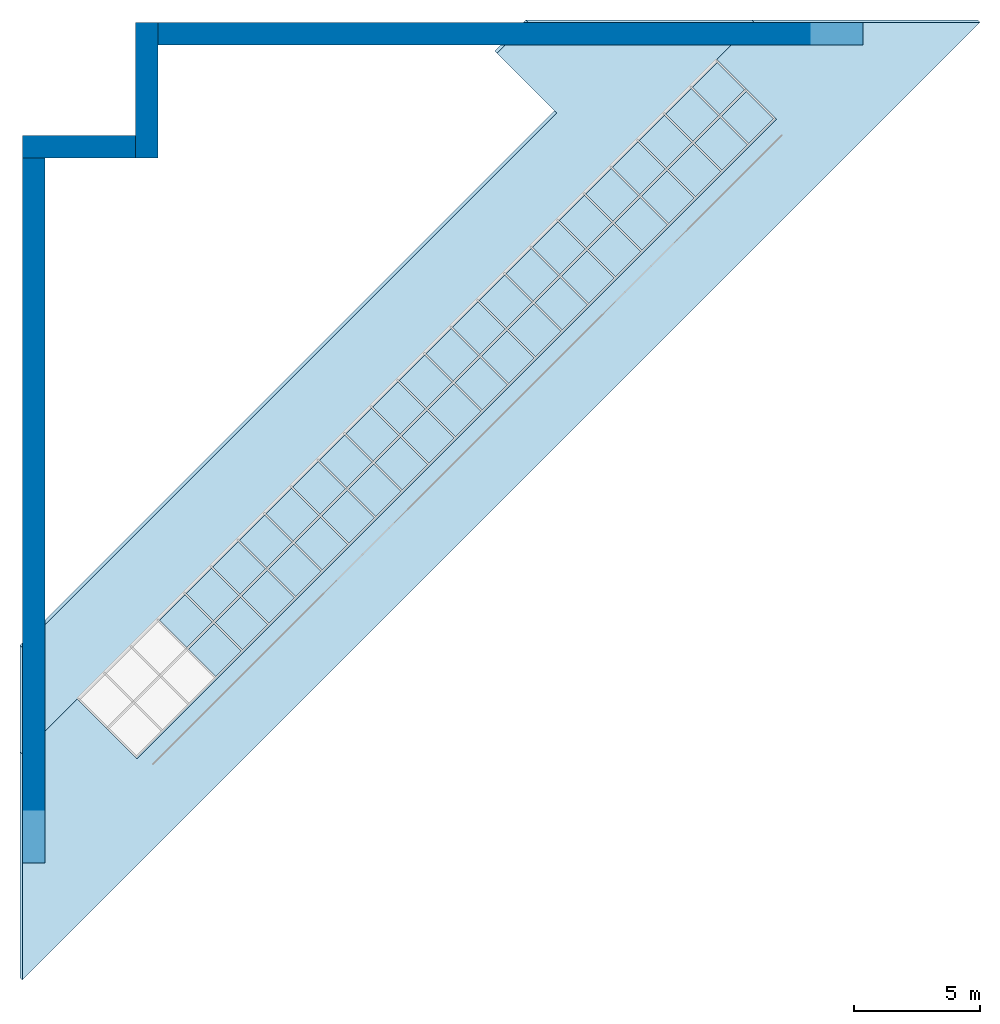
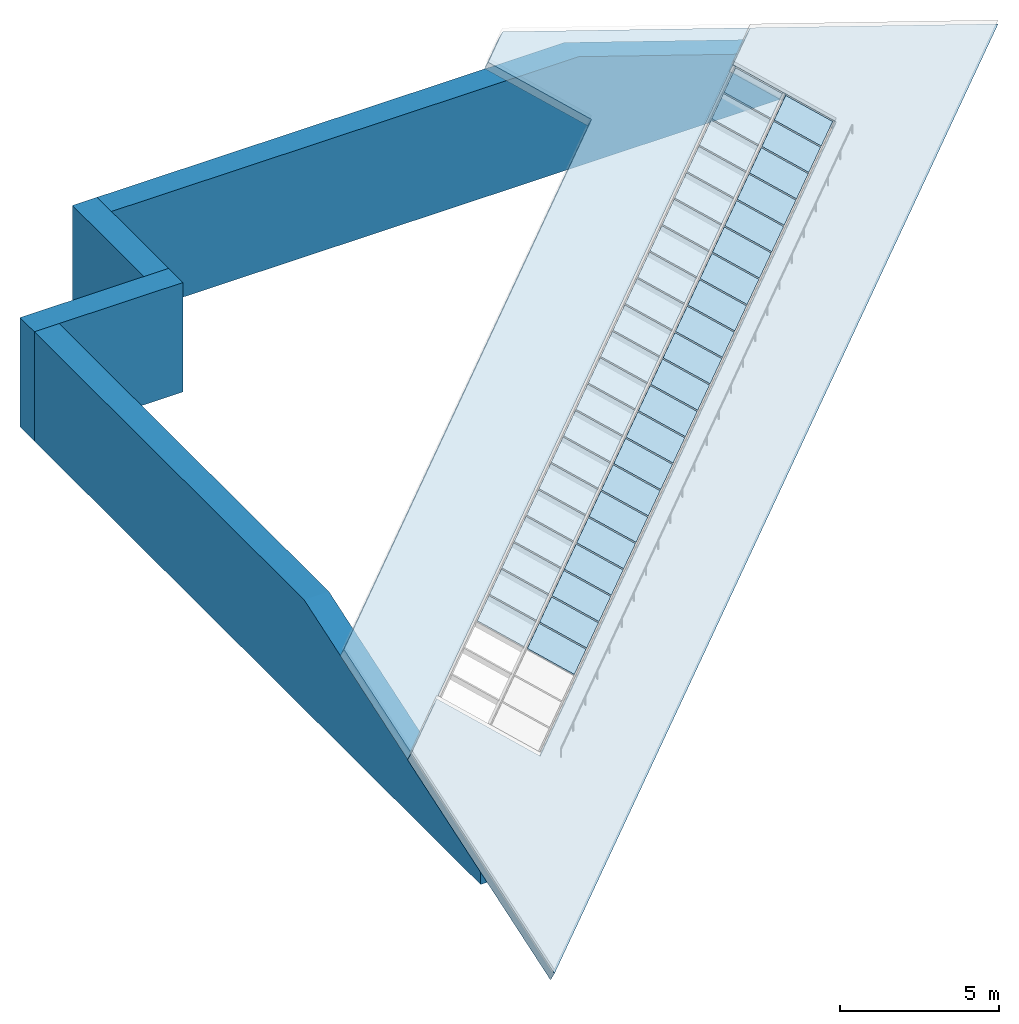
# One storey, part 2 of 3: 42 plates, 4 walls, 2 slabs, 1 element without a shape of its own.
"""IFC4 building model written with IfcOpenShell, lengths in metres."""

from ifc_helpers import new_model, si_unit, direction, frame, origin, place, context, subcontext, project, spatial, polyline, outline, extrude, material, layer, layer_set, type_object, element, aggregate, save


model = new_model("IFC4")

# Units and contexts
model_context = context("Model", 3, precision=1e-05, world=origin(), true_north=direction((0.0, 1.0)))
body_context = subcontext(model_context, "Body", "Model", "MODEL_VIEW")
ifc_project = project(units=[si_unit("LENGTHUNIT", "METRE"), si_unit("AREAUNIT", "SQUARE_METRE"), si_unit("VOLUMEUNIT", "CUBIC_METRE"), si_unit("PLANEANGLEUNIT", "RADIAN"), si_unit("MASSUNIT", "GRAM", prefix="KILO")], contexts=[model_context])

# Site, building, storey
site_placement = place(None, origin())
site = spatial("IfcSite", under=ifc_project, at=site_placement, CompositionType="ELEMENT")
building_placement = place(site_placement, origin())
building = spatial("IfcBuilding", under=site, at=building_placement, Name="Hunhe Ridgeline Campus", CompositionType="ELEMENT")
storey_placement = place(building_placement, frame((0.0, 0.0, 324.0)))
storey = spatial("IfcBuildingStorey", under=building, at=storey_placement, Name="L83 Crown", CompositionType="ELEMENT", Elevation=324.0)

# Slabs
ifc_material_1 = material(Name="Concrete C40", Category="concrete")
ifc_layer_1 = layer(ifc_material_1, 0.300048828125)
ifc_layer_set_1 = layer_set([ifc_layer_1], Name="Roof slab 300 Concrete C40")
slab_type = type_object("IfcSlabType", Name="Roof slab 300 Concrete C40", PredefinedType="ROOF", material=ifc_layer_set_1)
slab_1_placement = place(storey_placement, frame((0.0, 60.878662109375, -0.599609375), z_axis=(0.301527920892, -0.301527920892, 0.904522982486), x_axis=(0.707106781187, 0.707106781187, 0.0)))
element("IfcSlab", 1, at=slab_1_placement, inside=storey, type_object=slab_type, Name="Crown roof slab 8", PredefinedType="ROOF", context=body_context, shape_type="SweptSolid", body=[
    extrude(outline(polyline([(0.0, 0.0), (53.911713060729234, 0.0), (47.547752030050304, 7.0357277450078435), (45.45232671021576, 7.0357277450078435), (45.45232671021576, 3.3166869261306804), (9.452374193625054, 3.3166869261306813), (9.452374193625054, 7.0357277450078435), (6.3639610306789285, 7.0357277450078435), (0.0, 0.0)])), origin(), (0.0, 0.0, -1.0), 0.300048828125),
])
slab_2_placement = place(storey_placement, frame((20.121337890625, 99.0, 5.40087890625), z_axis=(0.301526454441, -0.301527543112, 0.904523597269), x_axis=(-0.707107013304, -0.707106549069, -6.96308e-07)))
element("IfcSlab", 2, at=slab_2_placement, inside=storey, type_object=slab_type, Name="Crown roof slab 9", PredefinedType="ROOF", context=body_context, shape_type="SweptSolid", body=[
    extrude(outline(polyline([(0.0, 0.0), (1.7315139197507254, 1.1102230246251565e-16), (1.731513919793987, 3.7190408188000053), (31.819805153428476, 3.719040818800008), (34.81982996871957, 7.035727744945044), (-6.363961030639604, 7.035727744945039), (0.0, 0.0)])), origin(), (0.0, 0.0, -1.0), 0.300048828125),
])

# Curtain wall, plates
ifc_material_2 = material(Name="Aluminium 6063", Category="aluminium")
curtain_wall_type = type_object("IfcCurtainWallType", Name="Curtain wall CW-6", PredefinedType="NOTDEFINED", material=ifc_material_2)
curtain_wall_placement = place(storey_placement, origin())
curtain_wall = element("IfcCurtainWall", 3, at=curtain_wall_placement, inside=storey, type_object=curtain_wall_type, Name="Rooflight 6", PredefinedType="NOTDEFINED")
ifc_material_3 = material(Name="Low-e laminated glass", Category="glass")
ifc_layer_2 = layer(ifc_material_3, 0.0400390625)
ifc_layer_set_2 = layer_set([ifc_layer_2], Name="Rooflight glass panel 40 low-e laminated")
plate_type = type_object("IfcPlateType", Name="Rooflight glass panel 40 low-e laminated", PredefinedType="CURTAIN_PANEL", material=ifc_layer_set_2)
plate_1_placement = place(storey_placement, frame((29.898193359375, 95.160888671875, 0.862060546875), z_axis=(0.301516098083, -0.301478790969, 0.904543299789), x_axis=(-0.639680766166, 0.639536628329, 0.426381775436)))
plate_1 = element("IfcPlate", 4, at=plate_1_placement, type_object=plate_type, Name="Rooflight panel 1.1", PredefinedType="CURTAIN_PANEL", context=body_context, shape_type="SweptSolid", body=[
    extrude(outline(polyline([(0.0, 0.0), (1.6937901737979362, -6.066111155056397e-17), (1.6937762041282285, 1.3950512549424896), (0.00014220239234452592, 1.3952238705758573), (0.0, 0.0)])), origin(), (0.0, 0.0, -1.0), 0.0400390625),
])
plate_2_placement = place(storey_placement, frame((28.862060546875, 94.125, 0.862060546875), z_axis=(0.301547745403, -0.301474942954, 0.904534032535), x_axis=(-0.639602149067, 0.639602149067, 0.426401432711)))
plate_2 = element("IfcPlate", 5, at=plate_2_placement, type_object=plate_type, Name="Rooflight panel 1.2", PredefinedType="CURTAIN_PANEL", context=body_context, shape_type="SweptSolid", body=[
    extrude(outline(polyline([(0.0, 0.0), (1.6936340109323371, 3.6469850576981155e-17), (1.6934778580639125, 1.4299232119943703), (-0.00015615286842451948, 1.4299232119943701), (0.0, 0.0)])), origin(), (0.0, 0.0, -1.0), 0.0400390625),
])
plate_3_placement = place(storey_placement, frame((27.801513671875, 93.064208984375, 0.862060546875), z_axis=(0.301479245877, -0.301515643227, 0.90454329979), x_axis=(-0.639608700975, 0.639608701766, 0.426381775248)))
plate_3 = element("IfcPlate", 6, at=plate_3_placement, type_object=plate_type, Name="Rooflight panel 1.3", PredefinedType="CURTAIN_PANEL", context=body_context, shape_type="SweptSolid", body=[
    extrude(outline(polyline([(0.0, 0.0), (1.6936340105324015, -2.110128478199913e-17), (1.6937901642007342, 1.4299232115205895), (-7.998715023660452e-10, 1.4300958431175164), (0.0, 0.0)])), origin(), (0.0, 0.0, -1.0), 0.0400390625),
])
plate_4_placement = place(storey_placement, frame((26.740966796875, 92.003662109375, 0.862060546875), z_axis=(0.301515643227, -0.301479245877, 0.90454329979), x_axis=(-0.639680766185, 0.639536628329, 0.426381775406)))
plate_4 = element("IfcPlate", 7, at=plate_4_placement, type_object=plate_type, Name="Rooflight panel 1.4", PredefinedType="CURTAIN_PANEL", context=body_context, shape_type="SweptSolid", body=[
    extrude(outline(polyline([(0.0, 0.0), (1.6937901737979375, 9.269928574751063e-17), (1.6937797583282785, 1.4299232200089778), (0.0001457565923979054, 1.430095835689698), (0.0, 0.0)])), origin(), (0.0, 0.0, -1.0), 0.0400390625),
])
plate_5_placement = place(storey_placement, frame((25.68017578125, 90.94287109375, 0.862060546875), z_axis=(0.301474942954, -0.301547745403, 0.904534032535), x_axis=(-0.639602149067, 0.639602149067, 0.426401432711)))
plate_5 = element("IfcPlate", 8, at=plate_5_placement, type_object=plate_type, Name="Rooflight panel 1.5", PredefinedType="CURTAIN_PANEL", context=body_context, shape_type="SweptSolid", body=[
    extrude(outline(polyline([(0.0, 0.0), (1.6936340109323371, -3.6469850576981155e-17), (1.6937901638007615, 1.4299232119943701), (0.00015615286842451948, 1.4299232119943701), (0.0, 0.0)])), origin(), (0.0, 0.0, -1.0), 0.0400390625),
])
plate_6_placement = place(storey_placement, frame((24.61962890625, 89.88232421875, 0.862060546875), z_axis=(0.301511344578, -0.301511344578, 0.904534033733), x_axis=(-0.639602149067, 0.639602149067, 0.426401432711)))
plate_6 = element("IfcPlate", 9, at=plate_6_placement, type_object=plate_type, Name="Rooflight panel 1.6", PredefinedType="CURTAIN_PANEL", context=body_context, shape_type="SweptSolid", body=[
    extrude(outline(polyline([(0.0, 0.0), (1.6936340109323371, 0.0), (1.693634010932337, 1.4300958435911524), (0.0, 1.4300958435911524), (0.0, 0.0)])), origin(), (0.0, 0.0, -1.0), 0.0400390625),
])
plate_7_placement = place(storey_placement, frame((23.558837890625, 88.821533203125, 0.862060546875), z_axis=(0.301474942954, -0.301547745403, 0.904534032535), x_axis=(-0.639602149067, 0.639602149067, 0.426401432711)))
plate_7 = element("IfcPlate", 10, at=plate_7_placement, type_object=plate_type, Name="Rooflight panel 1.7", PredefinedType="CURTAIN_PANEL", context=body_context, shape_type="SweptSolid", body=[
    extrude(outline(polyline([(0.0, 0.0), (1.6936340109323371, -3.6469850576981155e-17), (1.6937901638007615, 1.4299232119943701), (0.00015615286842451948, 1.4299232119943701), (0.0, 0.0)])), origin(), (0.0, 0.0, -1.0), 0.0400390625),
])
plate_8_placement = place(storey_placement, frame((22.498291015625, 87.760986328125, 0.862060546875), z_axis=(0.301511344578, -0.301511344578, 0.904534033733), x_axis=(-0.639602149067, 0.639602149067, 0.426401432711)))
plate_8 = element("IfcPlate", 11, at=plate_8_placement, type_object=plate_type, Name="Rooflight panel 1.8", PredefinedType="CURTAIN_PANEL", context=body_context, shape_type="SweptSolid", body=[
    extrude(outline(polyline([(0.0, 0.0), (1.6936340109323371, 0.0), (1.693634010932337, 1.4300958435911524), (0.0, 1.4300958435911524), (0.0, 0.0)])), origin(), (0.0, 0.0, -1.0), 0.0400390625),
])
plate_9_placement = place(storey_placement, frame((21.4375, 86.7001953125, 0.862060546875), z_axis=(0.301474942954, -0.301547745403, 0.904534032535), x_axis=(-0.639602149067, 0.639602149067, 0.426401432711)))
plate_9 = element("IfcPlate", 12, at=plate_9_placement, type_object=plate_type, Name="Rooflight panel 1.9", PredefinedType="CURTAIN_PANEL", context=body_context, shape_type="SweptSolid", body=[
    extrude(outline(polyline([(0.0, 0.0), (1.6936340109323371, -3.6469850576981155e-17), (1.6937901638007615, 1.4299232119943701), (0.00015615286842451948, 1.4299232119943701), (0.0, 0.0)])), origin(), (0.0, 0.0, -1.0), 0.0400390625),
])
plate_10_placement = place(storey_placement, frame((20.376953125, 85.6396484375, 0.862060546875), z_axis=(0.301511344578, -0.301511344578, 0.904534033733), x_axis=(-0.639602149067, 0.639602149067, 0.426401432711)))
plate_10 = element("IfcPlate", 13, at=plate_10_placement, type_object=plate_type, Name="Rooflight panel 1.10", PredefinedType="CURTAIN_PANEL", context=body_context, shape_type="SweptSolid", body=[
    extrude(outline(polyline([(0.0, 0.0), (1.6936340109323371, 0.0), (1.693634010932337, 1.4300958435911524), (0.0, 1.4300958435911524), (0.0, 0.0)])), origin(), (0.0, 0.0, -1.0), 0.0400390625),
])
plate_11_placement = place(storey_placement, frame((19.316162109375, 84.578857421875, 0.862060546875), z_axis=(0.301483547543, -0.301483547543, 0.904552564046), x_axis=(-0.63954317933, 0.639687317978, 0.426362119554)))
plate_11 = element("IfcPlate", 14, at=plate_11_placement, type_object=plate_type, Name="Rooflight panel 1.11", PredefinedType="CURTAIN_PANEL", context=body_context, shape_type="SweptSolid", body=[
    extrude(outline(polyline([(0.0, 0.0), (1.6937901741978365, -3.077778917143226e-17), (1.6936444168056752, 1.4300958361632525), (-0.00014572220206188202, 1.4297505691820445), (0.0, 0.0)])), origin(), (0.0, 0.0, -1.0), 0.0400390625),
])
plate_12_placement = place(storey_placement, frame((18.255615234375, 83.518310546875, 0.862060546875), z_axis=(0.301511344578, -0.301511344578, 0.904534033733), x_axis=(-0.639602149067, 0.639602149067, 0.426401432711)))
plate_12 = element("IfcPlate", 15, at=plate_12_placement, type_object=plate_type, Name="Rooflight panel 1.12", PredefinedType="CURTAIN_PANEL", context=body_context, shape_type="SweptSolid", body=[
    extrude(outline(polyline([(0.0, 0.0), (1.6936340109323371, 0.0), (1.693634010932337, 1.4300958435911524), (0.0, 1.4300958435911524), (0.0, 0.0)])), origin(), (0.0, 0.0, -1.0), 0.0400390625),
])
plate_13_placement = place(storey_placement, frame((17.19482421875, 82.457763671875, 0.862060546875), z_axis=(0.301547745403, -0.301474942954, 0.904534032535), x_axis=(-0.639602149067, 0.639602149067, 0.426401432711)))
plate_13 = element("IfcPlate", 16, at=plate_13_placement, type_object=plate_type, Name="Rooflight panel 1.13", PredefinedType="CURTAIN_PANEL", context=body_context, shape_type="SweptSolid", body=[
    extrude(outline(polyline([(0.0, 0.0), (1.6936340109323371, 3.6469850576981155e-17), (1.6934778580639125, 1.4299232119943703), (-0.00015615286842451948, 1.4299232119943701), (0.0, 0.0)])), origin(), (0.0, 0.0, -1.0), 0.0400390625),
])
plate_14_placement = place(storey_placement, frame((16.13427734375, 81.39697265625, 0.862060546875), z_axis=(0.301511344578, -0.301511344578, 0.904534033733), x_axis=(-0.639602149067, 0.639602149067, 0.426401432711)))
plate_14 = element("IfcPlate", 17, at=plate_14_placement, type_object=plate_type, Name="Rooflight panel 1.14", PredefinedType="CURTAIN_PANEL", context=body_context, shape_type="SweptSolid", body=[
    extrude(outline(polyline([(0.0, 0.0), (1.6936340109323371, 0.0), (1.693634010932337, 1.4300958435911524), (0.0, 1.4300958435911524), (0.0, 0.0)])), origin(), (0.0, 0.0, -1.0), 0.0400390625),
])
plate_15_placement = place(storey_placement, frame((15.073486328125, 80.33642578125, 0.862060546875), z_axis=(0.301547745403, -0.301474942954, 0.904534032535), x_axis=(-0.639602149067, 0.639602149067, 0.426401432711)))
plate_15 = element("IfcPlate", 18, at=plate_15_placement, type_object=plate_type, Name="Rooflight panel 1.15", PredefinedType="CURTAIN_PANEL", context=body_context, shape_type="SweptSolid", body=[
    extrude(outline(polyline([(0.0, 0.0), (1.6936340109323371, 3.6469850576981155e-17), (1.6934778580639125, 1.4299232119943703), (-0.00015615286842451948, 1.4299232119943701), (0.0, 0.0)])), origin(), (0.0, 0.0, -1.0), 0.0400390625),
])
plate_16_placement = place(storey_placement, frame((14.012939453125, 79.275634765625, 0.862060546875), z_axis=(0.301479245877, -0.301515643227, 0.90454329979), x_axis=(-0.639608700975, 0.639608701766, 0.426381775248)))
plate_16 = element("IfcPlate", 19, at=plate_16_placement, type_object=plate_type, Name="Rooflight panel 1.16", PredefinedType="CURTAIN_PANEL", context=body_context, shape_type="SweptSolid", body=[
    extrude(outline(polyline([(0.0, 0.0), (1.6936340105324015, -2.110128478199913e-17), (1.6937901642007342, 1.4299232115205895), (-7.998715023660452e-10, 1.4300958431175164), (0.0, 0.0)])), origin(), (0.0, 0.0, -1.0), 0.0400390625),
])
plate_17_placement = place(storey_placement, frame((12.9521484375, 78.215087890625, 0.862060546875), z_axis=(0.301547745403, -0.301474942954, 0.904534032535), x_axis=(-0.639602149067, 0.639602149067, 0.426401432711)))
plate_17 = element("IfcPlate", 20, at=plate_17_placement, type_object=plate_type, Name="Rooflight panel 1.17", PredefinedType="CURTAIN_PANEL", context=body_context, shape_type="SweptSolid", body=[
    extrude(outline(polyline([(0.0, 0.0), (1.6936340109323371, 3.6469850576981155e-17), (1.6934778580639125, 1.4299232119943703), (-0.00015615286842451948, 1.4299232119943701), (0.0, 0.0)])), origin(), (0.0, 0.0, -1.0), 0.0400390625),
])
plate_18_placement = place(storey_placement, frame((11.8916015625, 77.154296875, 0.862060546875), z_axis=(0.301474942954, -0.301547745403, 0.904534032535), x_axis=(-0.639602149067, 0.639602149067, 0.426401432711)))
plate_18 = element("IfcPlate", 21, at=plate_18_placement, type_object=plate_type, Name="Rooflight panel 1.18", PredefinedType="CURTAIN_PANEL", context=body_context, shape_type="SweptSolid", body=[
    extrude(outline(polyline([(0.0, 0.0), (1.6936340109323371, -3.6469850576981155e-17), (1.6937901638007615, 1.4299232119943701), (0.00015615286842451948, 1.4299232119943701), (0.0, 0.0)])), origin(), (0.0, 0.0, -1.0), 0.0400390625),
])
plate_19_placement = place(storey_placement, frame((10.8310546875, 76.09375, 0.862060546875), z_axis=(0.301515643227, -0.301479245877, 0.90454329979), x_axis=(-0.639680766185, 0.639536628329, 0.426381775406)))
plate_19 = element("IfcPlate", 22, at=plate_19_placement, type_object=plate_type, Name="Rooflight panel 1.19", PredefinedType="CURTAIN_PANEL", context=body_context, shape_type="SweptSolid", body=[
    extrude(outline(polyline([(0.0, 0.0), (1.6937901737979375, 9.269928574751063e-17), (1.6937797583282785, 1.4299232200089778), (0.0001457565923979054, 1.430095835689698), (0.0, 0.0)])), origin(), (0.0, 0.0, -1.0), 0.0400390625),
])
plate_20_placement = place(storey_placement, frame((9.770263671875, 75.032958984375, 0.862060546875), z_axis=(0.301474942954, -0.301547745403, 0.904534032535), x_axis=(-0.639602149067, 0.639602149067, 0.426401432711)))
plate_20 = element("IfcPlate", 23, at=plate_20_placement, type_object=plate_type, Name="Rooflight panel 1.20", PredefinedType="CURTAIN_PANEL", context=body_context, shape_type="SweptSolid", body=[
    extrude(outline(polyline([(0.0, 0.0), (1.6936340109323371, -3.6469850576981155e-17), (1.6937901638007615, 1.4299232119943701), (0.00015615286842451948, 1.4299232119943701), (0.0, 0.0)])), origin(), (0.0, 0.0, -1.0), 0.0400390625),
])
plate_21_placement = place(storey_placement, frame((8.709716796875, 73.972412109375, 0.862060546875), z_axis=(0.301511344578, -0.301511344578, 0.904534033733), x_axis=(-0.639602149067, 0.639602149067, 0.426401432711)))
plate_21 = element("IfcPlate", 24, at=plate_21_placement, type_object=plate_type, Name="Rooflight panel 1.21", PredefinedType="CURTAIN_PANEL", context=body_context, shape_type="SweptSolid", body=[
    extrude(outline(polyline([(0.0, 0.0), (1.6936340109323371, 0.0), (1.693634010932337, 1.4300958435911524), (0.0, 1.4300958435911524), (0.0, 0.0)])), origin(), (0.0, 0.0, -1.0), 0.0400390625),
])
plate_22_placement = place(storey_placement, frame((28.744140625, 96.314697265625, 1.63134765625), z_axis=(0.301478790969, -0.301516098083, 0.904543299789), x_axis=(-0.639536628329, 0.639680766166, 0.426381775436)))
plate_22 = element("IfcPlate", 25, at=plate_22_placement, type_object=plate_type, Name="Rooflight panel 2.1", PredefinedType="CURTAIN_PANEL", context=body_context, shape_type="SweptSolid", body=[
    extrude(outline(polyline([(0.0, 0.0), (1.6937901737979362, 6.066111155056397e-17), (1.6936479714055919, 1.3952238705758575), (1.3969669707569743e-05, 1.3950512549424898), (0.0, 0.0)])), origin(), (0.0, 0.0, -1.0), 0.0400390625),
])
plate_23_placement = place(storey_placement, frame((27.708251953125, 95.27880859375, 1.63134765625), z_axis=(0.301474942954, -0.301547745403, 0.904534032535), x_axis=(-0.639602149067, 0.639602149067, 0.426401432711)))
plate_23 = element("IfcPlate", 26, at=plate_23_placement, type_object=plate_type, Name="Rooflight panel 2.2", PredefinedType="CURTAIN_PANEL", context=body_context, shape_type="SweptSolid", body=[
    extrude(outline(polyline([(0.0, 0.0), (1.6936340109323371, -3.6469850576981155e-17), (1.6937901638007615, 1.4299232119943701), (0.00015615286842451948, 1.4299232119943701), (0.0, 0.0)])), origin(), (0.0, 0.0, -1.0), 0.0400390625),
])
plate_24_placement = place(storey_placement, frame((26.6474609375, 94.21826171875, 1.63134765625), z_axis=(0.301515643227, -0.301479245877, 0.90454329979), x_axis=(-0.639608701766, 0.639608700975, 0.426381775248)))
plate_24 = element("IfcPlate", 27, at=plate_24_placement, type_object=plate_type, Name="Rooflight panel 2.3", PredefinedType="CURTAIN_PANEL", context=body_context, shape_type="SweptSolid", body=[
    extrude(outline(polyline([(0.0, 0.0), (1.6936340105324015, 2.110128478199913e-17), (1.6936340113322728, 1.4300958431175164), (-0.00015615366833288125, 1.4299232115205898), (0.0, 0.0)])), origin(), (0.0, 0.0, -1.0), 0.0400390625),
])
plate_25_placement = place(storey_placement, frame((25.5869140625, 93.157470703125, 1.63134765625), z_axis=(0.301479245877, -0.301515643227, 0.90454329979), x_axis=(-0.639536628329, 0.639680766185, 0.426381775406)))
plate_25 = element("IfcPlate", 28, at=plate_25_placement, type_object=plate_type, Name="Rooflight panel 2.4", PredefinedType="CURTAIN_PANEL", context=body_context, shape_type="SweptSolid", body=[
    extrude(outline(polyline([(0.0, 0.0), (1.6937901737979375, -9.269928574751063e-17), (1.6936444172055396, 1.4300958356896978), (1.041546965907525e-05, 1.4299232200089778), (0.0, 0.0)])), origin(), (0.0, 0.0, -1.0), 0.0400390625),
])
plate_26_placement = place(storey_placement, frame((24.526123046875, 92.096923828125, 1.63134765625), z_axis=(0.301547745403, -0.301474942954, 0.904534032535), x_axis=(-0.639602149067, 0.639602149067, 0.426401432711)))
plate_26 = element("IfcPlate", 29, at=plate_26_placement, type_object=plate_type, Name="Rooflight panel 2.5", PredefinedType="CURTAIN_PANEL", context=body_context, shape_type="SweptSolid", body=[
    extrude(outline(polyline([(0.0, 0.0), (1.6936340109323371, 3.6469850576981155e-17), (1.6934778580639125, 1.4299232119943703), (-0.00015615286842451948, 1.4299232119943701), (0.0, 0.0)])), origin(), (0.0, 0.0, -1.0), 0.0400390625),
])
plate_27_placement = place(storey_placement, frame((23.465576171875, 91.036376953125, 1.63134765625), z_axis=(0.301511344578, -0.301511344578, 0.904534033733), x_axis=(-0.639602149067, 0.639602149067, 0.426401432711)))
plate_27 = element("IfcPlate", 30, at=plate_27_placement, type_object=plate_type, Name="Rooflight panel 2.6", PredefinedType="CURTAIN_PANEL", context=body_context, shape_type="SweptSolid", body=[
    extrude(outline(polyline([(0.0, 0.0), (1.6936340109323371, 0.0), (1.693634010932337, 1.4300958435911524), (0.0, 1.4300958435911524), (0.0, 0.0)])), origin(), (0.0, 0.0, -1.0), 0.0400390625),
])
plate_28_placement = place(storey_placement, frame((22.40478515625, 89.9755859375, 1.63134765625), z_axis=(0.301547745403, -0.301474942954, 0.904534032535), x_axis=(-0.639602149067, 0.639602149067, 0.426401432711)))
plate_28 = element("IfcPlate", 31, at=plate_28_placement, type_object=plate_type, Name="Rooflight panel 2.7", PredefinedType="CURTAIN_PANEL", context=body_context, shape_type="SweptSolid", body=[
    extrude(outline(polyline([(0.0, 0.0), (1.6936340109323371, 3.6469850576981155e-17), (1.6934778580639125, 1.4299232119943703), (-0.00015615286842451948, 1.4299232119943701), (0.0, 0.0)])), origin(), (0.0, 0.0, -1.0), 0.0400390625),
])
plate_29_placement = place(storey_placement, frame((21.34423828125, 88.9150390625, 1.63134765625), z_axis=(0.301511344578, -0.301511344578, 0.904534033733), x_axis=(-0.639602149067, 0.639602149067, 0.426401432711)))
plate_29 = element("IfcPlate", 32, at=plate_29_placement, type_object=plate_type, Name="Rooflight panel 2.8", PredefinedType="CURTAIN_PANEL", context=body_context, shape_type="SweptSolid", body=[
    extrude(outline(polyline([(0.0, 0.0), (1.6936340109323371, 0.0), (1.693634010932337, 1.4300958435911524), (0.0, 1.4300958435911524), (0.0, 0.0)])), origin(), (0.0, 0.0, -1.0), 0.0400390625),
])
plate_30_placement = place(storey_placement, frame((20.283447265625, 87.854248046875, 1.63134765625), z_axis=(0.301547745403, -0.301474942954, 0.904534032535), x_axis=(-0.639602149067, 0.639602149067, 0.426401432711)))
plate_30 = element("IfcPlate", 33, at=plate_30_placement, type_object=plate_type, Name="Rooflight panel 2.9", PredefinedType="CURTAIN_PANEL", context=body_context, shape_type="SweptSolid", body=[
    extrude(outline(polyline([(0.0, 0.0), (1.6936340109323371, 3.6469850576981155e-17), (1.6934778580639125, 1.4299232119943703), (-0.00015615286842451948, 1.4299232119943701), (0.0, 0.0)])), origin(), (0.0, 0.0, -1.0), 0.0400390625),
])
plate_31_placement = place(storey_placement, frame((19.222900390625, 86.793701171875, 1.63134765625), z_axis=(0.301511344578, -0.301511344578, 0.904534033733), x_axis=(-0.639602149067, 0.639602149067, 0.426401432711)))
plate_31 = element("IfcPlate", 34, at=plate_31_placement, type_object=plate_type, Name="Rooflight panel 2.10", PredefinedType="CURTAIN_PANEL", context=body_context, shape_type="SweptSolid", body=[
    extrude(outline(polyline([(0.0, 0.0), (1.6936340109323371, 0.0), (1.693634010932337, 1.4300958435911524), (0.0, 1.4300958435911524), (0.0, 0.0)])), origin(), (0.0, 0.0, -1.0), 0.0400390625),
])
plate_32_placement = place(storey_placement, frame((18.162353515625, 85.73291015625, 1.63134765625), z_axis=(0.301483547543, -0.301483547543, 0.904552564046), x_axis=(-0.639687317978, 0.63954317933, 0.426362119554)))
plate_32 = element("IfcPlate", 35, at=plate_32_placement, type_object=plate_type, Name="Rooflight panel 2.11", PredefinedType="CURTAIN_PANEL", context=body_context, shape_type="SweptSolid", body=[
    extrude(outline(polyline([(0.0, 0.0), (1.6937901741978365, 3.077778917143226e-17), (1.6939358963998983, 1.4297505691820447), (0.00014575739216138306, 1.4300958361632525), (0.0, 0.0)])), origin(), (0.0, 0.0, -1.0), 0.0400390625),
])
plate_33_placement = place(storey_placement, frame((17.1015625, 84.67236328125, 1.63134765625), z_axis=(0.301511344578, -0.301511344578, 0.904534033733), x_axis=(-0.639602149067, 0.639602149067, 0.426401432711)))
plate_33 = element("IfcPlate", 36, at=plate_33_placement, type_object=plate_type, Name="Rooflight panel 2.12", PredefinedType="CURTAIN_PANEL", context=body_context, shape_type="SweptSolid", body=[
    extrude(outline(polyline([(0.0, 0.0), (1.6936340109323371, 0.0), (1.693634010932337, 1.4300958435911524), (0.0, 1.4300958435911524), (0.0, 0.0)])), origin(), (0.0, 0.0, -1.0), 0.0400390625),
])
plate_34_placement = place(storey_placement, frame((16.041015625, 83.611572265625, 1.63134765625), z_axis=(0.301474942954, -0.301547745403, 0.904534032535), x_axis=(-0.639602149067, 0.639602149067, 0.426401432711)))
plate_34 = element("IfcPlate", 37, at=plate_34_placement, type_object=plate_type, Name="Rooflight panel 2.13", PredefinedType="CURTAIN_PANEL", context=body_context, shape_type="SweptSolid", body=[
    extrude(outline(polyline([(0.0, 0.0), (1.6936340109323371, -3.6469850576981155e-17), (1.6937901638007615, 1.4299232119943701), (0.00015615286842451948, 1.4299232119943701), (0.0, 0.0)])), origin(), (0.0, 0.0, -1.0), 0.0400390625),
])
plate_35_placement = place(storey_placement, frame((14.980224609375, 82.551025390625, 1.63134765625), z_axis=(0.301511344578, -0.301511344578, 0.904534033733), x_axis=(-0.639602149067, 0.639602149067, 0.426401432711)))
plate_35 = element("IfcPlate", 38, at=plate_35_placement, type_object=plate_type, Name="Rooflight panel 2.14", PredefinedType="CURTAIN_PANEL", context=body_context, shape_type="SweptSolid", body=[
    extrude(outline(polyline([(0.0, 0.0), (1.6936340109323371, 0.0), (1.693634010932337, 1.4300958435911524), (0.0, 1.4300958435911524), (0.0, 0.0)])), origin(), (0.0, 0.0, -1.0), 0.0400390625),
])
plate_36_placement = place(storey_placement, frame((13.919677734375, 81.490234375, 1.63134765625), z_axis=(0.301474942954, -0.301547745403, 0.904534032535), x_axis=(-0.639602149067, 0.639602149067, 0.426401432711)))
plate_36 = element("IfcPlate", 39, at=plate_36_placement, type_object=plate_type, Name="Rooflight panel 2.15", PredefinedType="CURTAIN_PANEL", context=body_context, shape_type="SweptSolid", body=[
    extrude(outline(polyline([(0.0, 0.0), (1.6936340109323371, -3.6469850576981155e-17), (1.6937901638007615, 1.4299232119943701), (0.00015615286842451948, 1.4299232119943701), (0.0, 0.0)])), origin(), (0.0, 0.0, -1.0), 0.0400390625),
])
plate_37_placement = place(storey_placement, frame((12.85888671875, 80.4296875, 1.63134765625), z_axis=(0.301515643227, -0.301479245877, 0.90454329979), x_axis=(-0.639608701766, 0.639608700975, 0.426381775248)))
plate_37 = element("IfcPlate", 40, at=plate_37_placement, type_object=plate_type, Name="Rooflight panel 2.16", PredefinedType="CURTAIN_PANEL", context=body_context, shape_type="SweptSolid", body=[
    extrude(outline(polyline([(0.0, 0.0), (1.6936340105324015, 2.110128478199913e-17), (1.6936340113322728, 1.4300958431175164), (-0.00015615366833288125, 1.4299232115205898), (0.0, 0.0)])), origin(), (0.0, 0.0, -1.0), 0.0400390625),
])
plate_38_placement = place(storey_placement, frame((11.79833984375, 79.368896484375, 1.63134765625), z_axis=(0.301474942954, -0.301547745403, 0.904534032535), x_axis=(-0.639602149067, 0.639602149067, 0.426401432711)))
plate_38 = element("IfcPlate", 41, at=plate_38_placement, type_object=plate_type, Name="Rooflight panel 2.17", PredefinedType="CURTAIN_PANEL", context=body_context, shape_type="SweptSolid", body=[
    extrude(outline(polyline([(0.0, 0.0), (1.6936340109323371, -3.6469850576981155e-17), (1.6937901638007615, 1.4299232119943701), (0.00015615286842451948, 1.4299232119943701), (0.0, 0.0)])), origin(), (0.0, 0.0, -1.0), 0.0400390625),
])
plate_39_placement = place(storey_placement, frame((10.737548828125, 78.308349609375, 1.63134765625), z_axis=(0.301547745403, -0.301474942954, 0.904534032535), x_axis=(-0.639602149067, 0.639602149067, 0.426401432711)))
plate_39 = element("IfcPlate", 42, at=plate_39_placement, type_object=plate_type, Name="Rooflight panel 2.18", PredefinedType="CURTAIN_PANEL", context=body_context, shape_type="SweptSolid", body=[
    extrude(outline(polyline([(0.0, 0.0), (1.6936340109323371, 3.6469850576981155e-17), (1.6934778580639125, 1.4299232119943703), (-0.00015615286842451948, 1.4299232119943701), (0.0, 0.0)])), origin(), (0.0, 0.0, -1.0), 0.0400390625),
])
plate_40_placement = place(storey_placement, frame((9.677001953125, 77.24755859375, 1.63134765625), z_axis=(0.301479245877, -0.301515643227, 0.90454329979), x_axis=(-0.639536628329, 0.639680766185, 0.426381775406)))
plate_40 = element("IfcPlate", 43, at=plate_40_placement, type_object=plate_type, Name="Rooflight panel 2.19", PredefinedType="CURTAIN_PANEL", context=body_context, shape_type="SweptSolid", body=[
    extrude(outline(polyline([(0.0, 0.0), (1.6937901737979375, -9.269928574751063e-17), (1.6936444172055396, 1.4300958356896978), (1.041546965907525e-05, 1.4299232200089778), (0.0, 0.0)])), origin(), (0.0, 0.0, -1.0), 0.0400390625),
])
plate_41_placement = place(storey_placement, frame((8.6162109375, 76.18701171875, 1.63134765625), z_axis=(0.301547745403, -0.301474942954, 0.904534032535), x_axis=(-0.639602149067, 0.639602149067, 0.426401432711)))
plate_41 = element("IfcPlate", 44, at=plate_41_placement, type_object=plate_type, Name="Rooflight panel 2.20", PredefinedType="CURTAIN_PANEL", context=body_context, shape_type="SweptSolid", body=[
    extrude(outline(polyline([(0.0, 0.0), (1.6936340109323371, 3.6469850576981155e-17), (1.6934778580639125, 1.4299232119943703), (-0.00015615286842451948, 1.4299232119943701), (0.0, 0.0)])), origin(), (0.0, 0.0, -1.0), 0.0400390625),
])
plate_42_placement = place(storey_placement, frame((7.5556640625, 75.12646484375, 1.63134765625), z_axis=(0.301511344578, -0.301511344578, 0.904534033733), x_axis=(-0.639602149067, 0.639602149067, 0.426401432711)))
plate_42 = element("IfcPlate", 45, at=plate_42_placement, type_object=plate_type, Name="Rooflight panel 2.21", PredefinedType="CURTAIN_PANEL", context=body_context, shape_type="SweptSolid", body=[
    extrude(outline(polyline([(0.0, 0.0), (1.6936340109323371, 0.0), (1.693634010932337, 1.4300958435911524), (0.0, 1.4300958435911524), (0.0, 0.0)])), origin(), (0.0, 0.0, -1.0), 0.0400390625),
])
aggregate(curtain_wall, [plate_1, plate_2, plate_3, plate_4, plate_5, plate_6, plate_7, plate_8, plate_9, plate_10, plate_11, plate_12, plate_13, plate_14, plate_15, plate_16, plate_17, plate_18, plate_19, plate_20, plate_21, plate_22, plate_23, plate_24, plate_25, plate_26, plate_27, plate_28, plate_29, plate_30, plate_31, plate_32, plate_33, plate_34, plate_35, plate_36, plate_37, plate_38, plate_39, plate_40, plate_41, plate_42])

# Walls
ifc_material_4 = material(Name="Concrete C50", Category="concrete")
ifc_layer_3 = layer(ifc_material_4, 0.89990234375)
ifc_layer_set_3 = layer_set([ifc_layer_3], Name="Spine wall 900 Concrete C50")
wall_type = type_object("IfcWallType", Name="Spine wall 900 Concrete C50", PredefinedType="SHEAR", material=ifc_layer_set_3)
wall_1_placement = place(storey_placement, frame((0.449951171875, 94.5, 0.0), z_axis=(0.0, 0.0, 1.0), x_axis=(0.0, -1.0, 0.0)))
element("IfcWall", 46, at=wall_1_placement, inside=storey, type_object=wall_type, Name="Spine wall SW4-1 L83 Crown", PredefinedType="SHEAR", context=body_context, shape_type="SweptSolid", body=[
    extrude(outline(polyline([(0.0, 0.0), (28.97314453125, 0.0), (28.97314453125, 0.5), (17.873779296875, 4.199951171875), (0.0, 4.199951171875), (0.0, 0.0)])), frame((0.0, 0.449951171875, 0.0), z_axis=(0.0, -1.0, 0.0), x_axis=(1.0, 0.0, 0.0)), (0.0, 0.0, 1.0), 0.89990234375),
])
wall_2_placement = place(storey_placement, frame((33.47314453125, 98.550048828125, 0.0), z_axis=(0.0, 0.0, 1.0), x_axis=(-1.0, 0.0, 0.0)))
element("IfcWall", 47, at=wall_2_placement, inside=storey, type_object=wall_type, Name="Spine wall SW4-2 L83 Crown", PredefinedType="SHEAR", context=body_context, shape_type="SweptSolid", body=[
    extrude(outline(polyline([(0.0, 0.0), (28.97314453125, 0.0), (28.97314453125, 4.199951171875), (11.099365234375, 4.199951171875), (0.0, 0.5), (0.0, 0.0)])), frame((0.0, 0.449951171875, 0.0), z_axis=(0.0, -1.0, 0.0), x_axis=(1.0, 0.0, 0.0)), (0.0, 0.0, 1.0), 0.89990234375),
])
for number, where, z_axis, x_axis, name in (
    (48, (4.949951171875, 99.0, 0.0), (0.0, 0.0, 1.0), (0.0, -1.0, 0.0), "Spine wall SW4-3 L83 Crown"),
    (49, (5.39990234375, 94.050048828125, 0.0), (0.0, 0.0, 1.0), (-1.0, 0.0, 0.0), "Spine wall SW4-4 L83 Crown"),
):
    element("IfcWall", number, at=place(storey_placement, frame(where, z_axis=z_axis, x_axis=x_axis)), inside=storey, type_object=wall_type, Name=name, PredefinedType="SHEAR", context=body_context, shape_type="SweptSolid", body=[
        extrude(outline(polyline([(0.0, 0.0), (5.39990234375, 0.0), (5.39990234375, 4.199951171875), (0.0, 4.199951171875), (0.0, 0.0)])), frame((0.0, 0.449951171875, 0.0), z_axis=(0.0, -1.0, 0.0), x_axis=(1.0, 0.0, 0.0)), (0.0, 0.0, 1.0), 0.89990234375),
    ])

save(model, "model.ifc")
